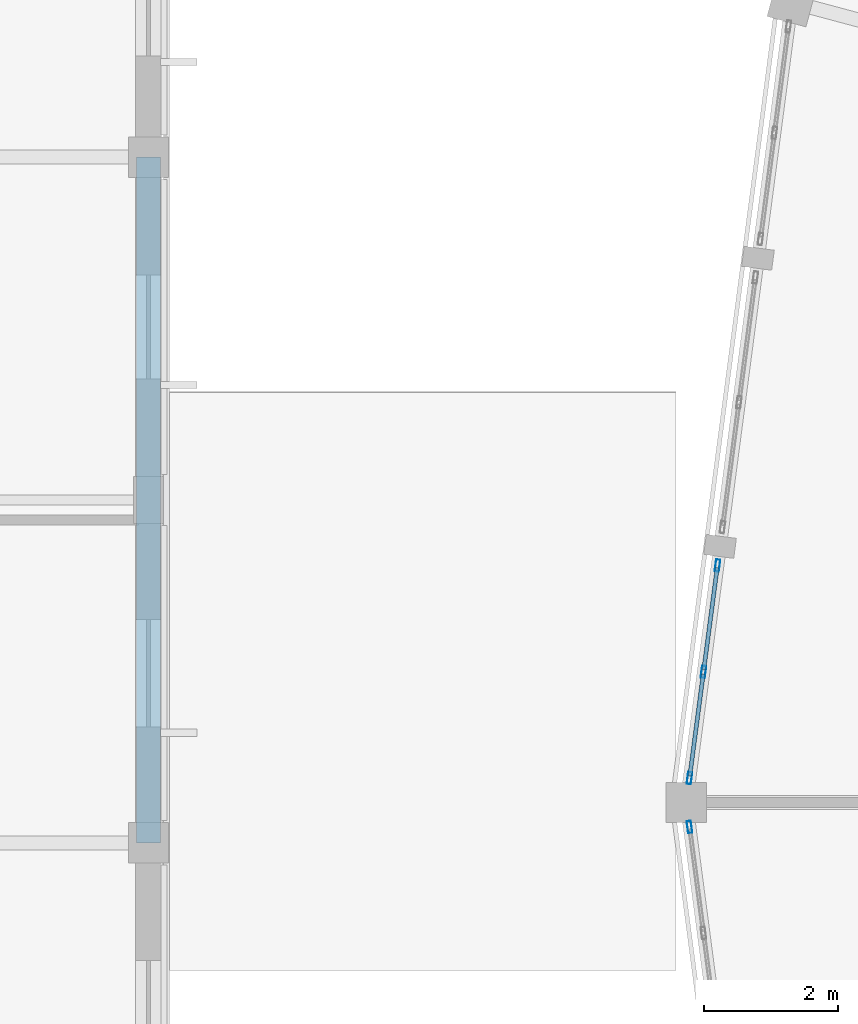
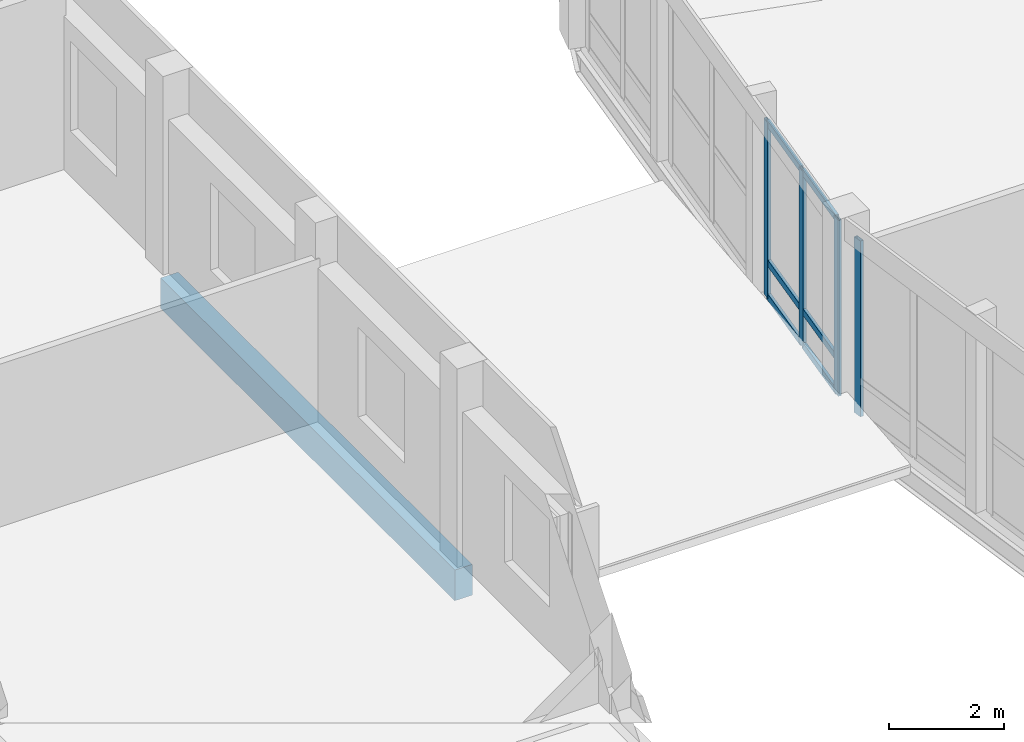
# One storey, part 49 of 170: 10 members, 1 beam, 2 elements without a shape of their own.
"""IFC4 building model written with IfcOpenShell, lengths in metres."""

from ifc_helpers import new_model, si_unit, direction, frame, origin, origin_2d, place, context, subcontext, project, spatial, rectangle, hollow_rectangle, extrude, material, material_profile, profile_set, type_object, element, aggregate, save


model = new_model("IFC4")

# Units and contexts
model_context = context("Model", 3, precision=1e-05, world=origin(), true_north=direction((0.0, 1.0)))
body_context = subcontext(model_context, "Body", "Model", "MODEL_VIEW")
ifc_project = project(units=[si_unit("LENGTHUNIT", "METRE"), si_unit("AREAUNIT", "SQUARE_METRE"), si_unit("VOLUMEUNIT", "CUBIC_METRE"), si_unit("PLANEANGLEUNIT", "RADIAN"), si_unit("MASSUNIT", "GRAM", prefix="KILO")], contexts=[model_context])

# Site, building, storey
site_placement = place(None, origin())
site = spatial("IfcSite", under=ifc_project, at=site_placement, CompositionType="ELEMENT")
building_placement = place(site_placement, origin())
building = spatial("IfcBuilding", under=site, at=building_placement, Name="Vondelvale Polytechnic", CompositionType="ELEMENT")
storey_placement = place(building_placement, frame((0.0, 0.0, 5.39990234375)))
storey = spatial("IfcBuildingStorey", under=building, at=storey_placement, Name="L01", CompositionType="ELEMENT", Elevation=5.39990234375)

# Curtain wall, members
ifc_material_1 = material(Name="Glulam GL18 structural Tasmanian oak (fb = 42 MPa)", Category="wood")
curtain_wall_type = type_object("IfcCurtainWallType", Name="CW-RING-OUTER", PredefinedType="NOTDEFINED", material=ifc_material_1)
curtain_wall_1_placement = place(storey_placement, origin())
curtain_wall_1 = element("IfcCurtainWall", 1, at=curtain_wall_1_placement, inside=storey, type_object=curtain_wall_type, Name="L01 architectural curtain wall CW-04-247", PredefinedType="NOTDEFINED")
ifc_material_2 = material(Name="Anodised extruded aluminium 6063-T6", Category="aluminium")
ifc_material_profile_1 = material_profile(ifc_material_2, hollow_rectangle(XDim=0.06494140625, YDim=0.179931640625, WallThickness=0.00390625, at=origin_2d()), Name="CW-MUL-180x65")
ifc_profile_set_1 = profile_set([ifc_material_profile_1], Name="Anodised extruded aluminium 6063-T6")
member_type_1 = type_object("IfcMemberType", Name="CW-MUL-65x180", PredefinedType="MULLION", material=ifc_profile_set_1)
member_1_placement = place(storey_placement, frame((56.464111328125, 75.524658203125, 0.0), z_axis=(0.0, 0.0, 1.0), x_axis=(0.991443102996, -0.130539547729, 0.0)))
member_1 = element("IfcMember", 2, at=member_1_placement, type_object=member_type_1, Name="CW-04-247 mullion 1", PredefinedType="MULLION", context=body_context, shape_type="SweptSolid", body=[
    extrude(hollow_rectangle(XDim=0.06494140625, YDim=0.179931640625, WallThickness=0.00390625, at=origin_2d()), origin(), (0.0, 0.0, 1.0), 3.72021484375),
])
member_2_placement = place(storey_placement, frame((56.255859375, 73.943359375, 0.0), z_axis=(0.0, 0.0, 1.0), x_axis=(0.991443102996, -0.130539547729, 0.0)))
member_2 = element("IfcMember", 3, at=member_2_placement, type_object=member_type_1, Name="CW-04-247 mullion 2", PredefinedType="MULLION", context=body_context, shape_type="SweptSolid", body=[
    extrude(hollow_rectangle(XDim=0.06494140625, YDim=0.179931640625, WallThickness=0.00390625, at=origin_2d()), origin(), (0.0, 0.0, 1.0), 3.72021484375),
])
member_3_placement = place(storey_placement, frame((56.047607421875, 72.362060546875, 0.0), z_axis=(0.0, 0.0, 1.0), x_axis=(0.991443102996, -0.130539547729, 0.0)))
member_3 = element("IfcMember", 4, at=member_3_placement, type_object=member_type_1, Name="CW-04-247 mullion 3", PredefinedType="MULLION", context=body_context, shape_type="SweptSolid", body=[
    extrude(hollow_rectangle(XDim=0.06494140625, YDim=0.179931640625, WallThickness=0.00390625, at=origin_2d()), origin(), (0.0, 0.0, 1.0), 3.72021484375),
])

# Curtain wall, member
curtain_wall_2_placement = place(storey_placement, origin())
curtain_wall_2 = element("IfcCurtainWall", 5, at=curtain_wall_2_placement, inside=storey, type_object=curtain_wall_type, Name="L01 architectural curtain wall CW-04-260", PredefinedType="NOTDEFINED")
member_4_placement = place(storey_placement, frame((56.047607421875, 71.637939453125, 0.0), z_axis=(0.0, 0.0, 1.0), x_axis=(0.991443102996, 0.130539547729, 0.0)))
member_4 = element("IfcMember", 6, at=member_4_placement, type_object=member_type_1, Name="CW-04-260 mullion 1", PredefinedType="MULLION", context=body_context, shape_type="SweptSolid", body=[
    extrude(hollow_rectangle(XDim=0.06494140625, YDim=0.179931640625, WallThickness=0.00390625, at=origin_2d()), origin(), (0.0, 0.0, 1.0), 3.72021484375),
])
aggregate(curtain_wall_2, [member_4])

# Member
ifc_material_profile_2 = material_profile(ifc_material_2, hollow_rectangle(XDim=0.06005859375, YDim=0.139892578125, WallThickness=0.00341796875, at=origin_2d()), Name="CW-TRN-140x60")
ifc_profile_set_2 = profile_set([ifc_material_profile_2], Name="Anodised extruded aluminium 6063-T6")
member_type_2 = type_object("IfcMemberType", Name="CW-TRN-60x140", PredefinedType="USERDEFINED", material=ifc_profile_set_2)
member_5_placement = place(storey_placement, frame((56.459716796875, 75.49267578125, 0.030029296875), z_axis=(-0.130512293736, -0.991446691045, 0.0), x_axis=(0.991446691045, -0.130512293736, 0.0)))
member_5 = element("IfcMember", 7, at=member_5_placement, type_object=member_type_2, Name="CW-04-247 transom 1.1", ObjectType="TRANSOM", PredefinedType="USERDEFINED", context=body_context, shape_type="SweptSolid", body=[
    extrude(hollow_rectangle(XDim=0.06005859375, YDim=0.139892578125, WallThickness=0.00341796875, at=origin_2d()), origin(), (0.0, 0.0, 1.0), 1.5302734375),
])

member_6_placement = place(storey_placement, frame((56.459716796875, 75.49267578125, 0.75), z_axis=(-0.130512293736, -0.991446691045, 0.0), x_axis=(0.991446691045, -0.130512293736, 0.0)))
member_6 = element("IfcMember", 8, at=member_6_placement, type_object=member_type_2, Name="CW-04-247 transom 1.2", ObjectType="TRANSOM", PredefinedType="USERDEFINED", context=body_context, shape_type="SweptSolid", body=[
    extrude(hollow_rectangle(XDim=0.06005859375, YDim=0.139892578125, WallThickness=0.00341796875, at=origin_2d()), origin(), (0.0, 0.0, 1.0), 1.5302734375),
])

member_7_placement = place(storey_placement, frame((56.459716796875, 75.49267578125, 3.690185546875), z_axis=(-0.130512293736, -0.991446691045, 0.0), x_axis=(0.991446691045, -0.130512293736, 0.0)))
member_7 = element("IfcMember", 9, at=member_7_placement, type_object=member_type_2, Name="CW-04-247 transom 1.3", ObjectType="TRANSOM", PredefinedType="USERDEFINED", context=body_context, shape_type="SweptSolid", body=[
    extrude(hollow_rectangle(XDim=0.06005859375, YDim=0.139892578125, WallThickness=0.00341796875, at=origin_2d()), origin(), (0.0, 0.0, 1.0), 1.5302734375),
])

member_8_placement = place(storey_placement, frame((56.251708984375, 73.9111328125, 0.030029296875), z_axis=(-0.130532942165, -0.991443972703, 0.0), x_axis=(0.991443972703, -0.130532942165, 0.0)))
member_8 = element("IfcMember", 10, at=member_8_placement, type_object=member_type_2, Name="CW-04-247 transom 2.1", ObjectType="TRANSOM", PredefinedType="USERDEFINED", context=body_context, shape_type="SweptSolid", body=[
    extrude(hollow_rectangle(XDim=0.06005859375, YDim=0.139892578125, WallThickness=0.00341796875, at=origin_2d()), origin(), (0.0, 0.0, 1.0), 1.530029296875),
])

member_9_placement = place(storey_placement, frame((56.251708984375, 73.9111328125, 0.75), z_axis=(-0.130532942165, -0.991443972703, 0.0), x_axis=(0.991443972703, -0.130532942165, 0.0)))
member_9 = element("IfcMember", 11, at=member_9_placement, type_object=member_type_2, Name="CW-04-247 transom 2.2", ObjectType="TRANSOM", PredefinedType="USERDEFINED", context=body_context, shape_type="SweptSolid", body=[
    extrude(hollow_rectangle(XDim=0.06005859375, YDim=0.139892578125, WallThickness=0.00341796875, at=origin_2d()), origin(), (0.0, 0.0, 1.0), 1.530029296875),
])

member_10_placement = place(storey_placement, frame((56.251708984375, 73.9111328125, 3.690185546875), z_axis=(-0.130532942165, -0.991443972703, 0.0), x_axis=(0.991443972703, -0.130532942165, 0.0)))
member_10 = element("IfcMember", 12, at=member_10_placement, type_object=member_type_2, Name="CW-04-247 transom 2.3", ObjectType="TRANSOM", PredefinedType="USERDEFINED", context=body_context, shape_type="SweptSolid", body=[
    extrude(hollow_rectangle(XDim=0.06005859375, YDim=0.139892578125, WallThickness=0.00341796875, at=origin_2d()), origin(), (0.0, 0.0, 1.0), 1.530029296875),
])

aggregate(curtain_wall_1, [member_1, member_2, member_3, member_5, member_6, member_7, member_8, member_9, member_10])

# Beam
ifc_material_3 = material(Name="Precast concrete N40 (f'c = 40 MPa)", Category="concrete")
ifc_material_profile_3 = material_profile(ifc_material_3, rectangle(XDim=0.35009765625, YDim=0.64990234375, at=origin_2d()), Name="RC-SPN-350x650")
ifc_profile_set_3 = profile_set([ifc_material_profile_3], Name="Precast concrete N40 (f'c = 40 MPa)")
beam_type = type_object("IfcBeamType", Name="SPN-PRE350x650", PredefinedType="SPANDREL", material=ifc_profile_set_3)
beam_placement = place(storey_placement, frame((48.0, 71.39990234375, -0.60498046875), z_axis=(0.0, 1.0, 0.0), x_axis=(-1.0, 0.0, 0.0)))
element("IfcBeam", 13, at=beam_placement, inside=storey, type_object=beam_type, Name="L01 B SP-02", PredefinedType="SPANDREL", context=body_context, shape_type="SweptSolid", body=[
    extrude(rectangle(XDim=0.35009765625, YDim=0.64990234375, at=origin_2d()), origin(), (0.0, 0.0, 1.0), 10.2001953125),
])

save(model, "model.ifc")
